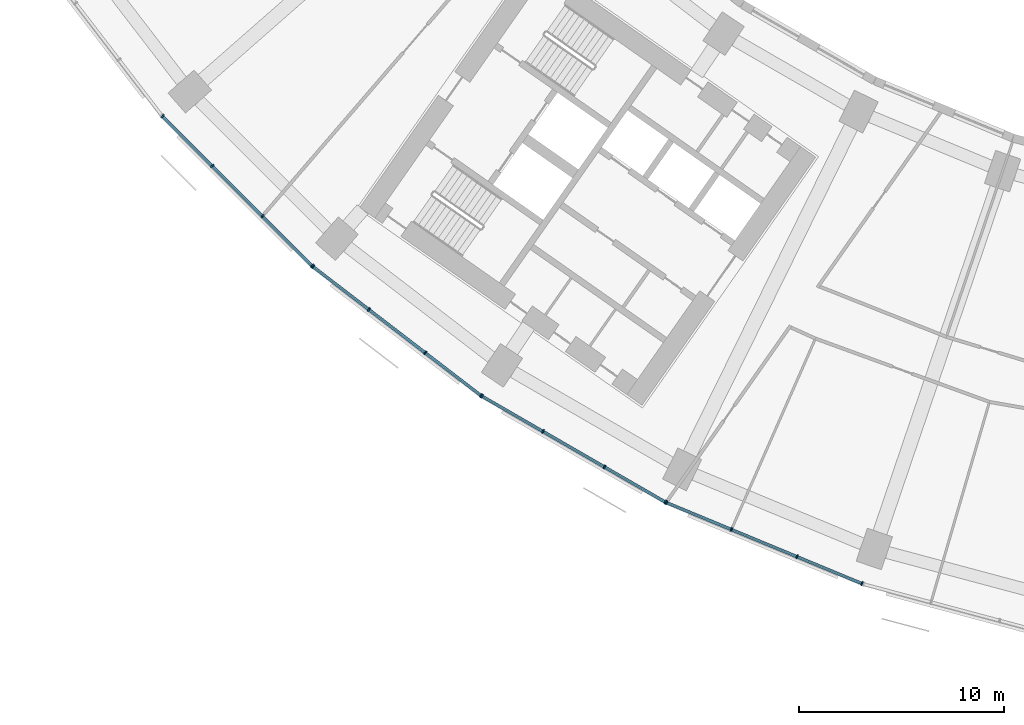
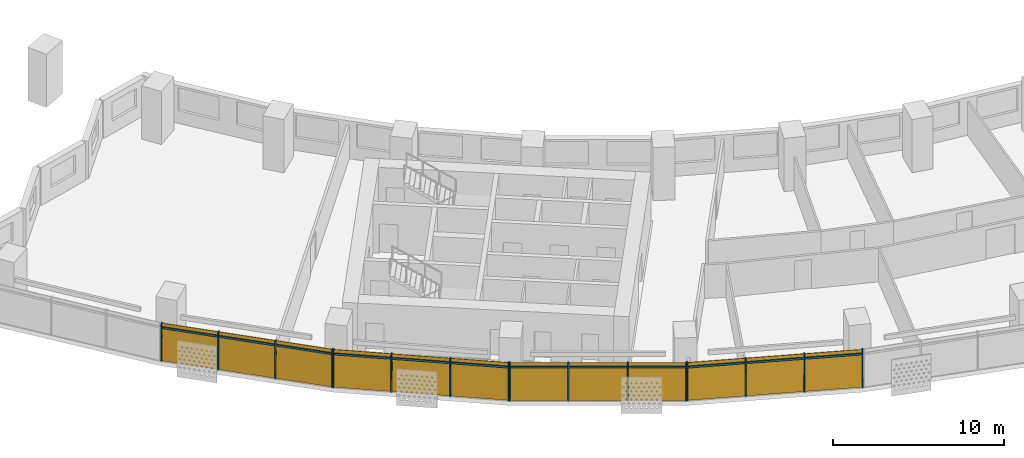
# One storey, part 19 of 31: 28 members, 4 curtain walls.
"""IFC4 building model written with IfcOpenShell, lengths in metres."""

from ifc_helpers import new_model, si_unit, direction, frame, origin, origin_2d, place, context, subcontext, project, spatial, rectangle, extrude, material, material_profile, profile_set, type_object, element, aggregate, save


model = new_model("IFC4")

# Units and contexts
model_context = context("Model", 3, precision=1e-05, world=origin(), true_north=direction((0.0, 1.0)))
body_context = subcontext(model_context, "Body", "Model", "MODEL_VIEW")
ifc_project = project(units=[si_unit("LENGTHUNIT", "METRE"), si_unit("AREAUNIT", "SQUARE_METRE"), si_unit("VOLUMEUNIT", "CUBIC_METRE"), si_unit("PLANEANGLEUNIT", "RADIAN"), si_unit("MASSUNIT", "GRAM", prefix="KILO")], contexts=[model_context])

# Member
ifc_material = material(Name="Aluminium 6063-T6 anodised", Category="aluminium")
ifc_material_profile_1 = material_profile(ifc_material, rectangle(XDim=0.199951171875, YDim=0.070068359375, at=origin_2d()))
ifc_profile_set_1 = profile_set([ifc_material_profile_1], Name="Aluminium 6063-T6 anodised")
member_type_1 = type_object("IfcMemberType", Name="Mullion 70 x 200 aluminium", PredefinedType="MULLION", material=ifc_profile_set_1)
site_placement = place(None, origin())
building_placement = place(site_placement, origin())
storey_placement = place(building_placement, frame((0.0, 0.0, 59.5)))
member_1_placement = place(storey_placement, frame((-59.78857421875, -52.470947265625, 0.0), z_axis=(0.0, 0.0, 1.0), x_axis=(0.707106781187, 0.707106781187, 0.0)))
member_1 = element("IfcMember", 1, at=member_1_placement, type_object=member_type_1, Name="e-cw1-L11-out02/M00", PredefinedType="MULLION", context=body_context, shape_type="SweptSolid", body=[
    extrude(rectangle(XDim=0.199951171875, YDim=0.070068359375, at=origin_2d()), origin(), (0.0, 0.0, 1.0), 2.699951171875),
])

member_2_placement = place(storey_placement, frame((-57.357666015625, -54.90185546875, 0.0), z_axis=(0.0, 0.0, 1.0), x_axis=(0.707106781187, 0.707106781187, 0.0)))
member_2 = element("IfcMember", 2, at=member_2_placement, type_object=member_type_1, Name="e-cw1-L11-out02/M01", PredefinedType="MULLION", context=body_context, shape_type="SweptSolid", body=[
    extrude(rectangle(XDim=0.199951171875, YDim=0.070068359375, at=origin_2d()), origin(), (0.0, 0.0, 1.0), 2.699951171875),
])

member_3_placement = place(storey_placement, frame((-54.90185546875, -57.357666015625, 0.0), z_axis=(0.0, 0.0, 1.0), x_axis=(0.707106781187, 0.707106781187, 0.0)))
member_3 = element("IfcMember", 3, at=member_3_placement, type_object=member_type_1, Name="e-cw1-L11-out02/M02", PredefinedType="MULLION", context=body_context, shape_type="SweptSolid", body=[
    extrude(rectangle(XDim=0.199951171875, YDim=0.070068359375, at=origin_2d()), origin(), (0.0, 0.0, 1.0), 2.699951171875),
])

member_4_placement = place(storey_placement, frame((-52.470947265625, -59.78857421875, 0.0), z_axis=(0.0, 0.0, 1.0), x_axis=(0.707106781187, 0.707106781187, 0.0)))
member_4 = element("IfcMember", 4, at=member_4_placement, type_object=member_type_1, Name="e-cw1-L11-out02/M03", PredefinedType="MULLION", context=body_context, shape_type="SweptSolid", body=[
    extrude(rectangle(XDim=0.199951171875, YDim=0.070068359375, at=origin_2d()), origin(), (0.0, 0.0, 1.0), 2.699951171875),
])

member_5_placement = place(storey_placement, frame((-52.42822265625, -59.825927734375, 0.0), z_axis=(0.0, 0.0, 1.0), x_axis=(0.608761429009, 0.793353340291, 0.0)))
member_5 = element("IfcMember", 5, at=member_5_placement, type_object=member_type_1, Name="e-cw1-L11-out03/M00", PredefinedType="MULLION", context=body_context, shape_type="SweptSolid", body=[
    extrude(rectangle(XDim=0.199951171875, YDim=0.070068359375, at=origin_2d()), origin(), (0.0, 0.0, 1.0), 2.699951171875),
])

member_6_placement = place(storey_placement, frame((-49.70068359375, -61.9189453125, 0.0), z_axis=(0.0, 0.0, 1.0), x_axis=(0.608761429009, 0.793353340291, 0.0)))
member_6 = element("IfcMember", 6, at=member_6_placement, type_object=member_type_1, Name="e-cw1-L11-out03/M01", PredefinedType="MULLION", context=body_context, shape_type="SweptSolid", body=[
    extrude(rectangle(XDim=0.199951171875, YDim=0.070068359375, at=origin_2d()), origin(), (0.0, 0.0, 1.0), 2.699951171875),
])

member_7_placement = place(storey_placement, frame((-46.945556640625, -64.032958984375, 0.0), z_axis=(0.0, 0.0, 1.0), x_axis=(0.608761429009, 0.793353340291, 0.0)))
member_7 = element("IfcMember", 7, at=member_7_placement, type_object=member_type_1, Name="e-cw1-L11-out03/M02", PredefinedType="MULLION", context=body_context, shape_type="SweptSolid", body=[
    extrude(rectangle(XDim=0.199951171875, YDim=0.070068359375, at=origin_2d()), origin(), (0.0, 0.0, 1.0), 2.699951171875),
])

member_8_placement = place(storey_placement, frame((-44.218017578125, -66.1259765625, 0.0), z_axis=(0.0, 0.0, 1.0), x_axis=(0.608761429009, 0.793353340291, 0.0)))
member_8 = element("IfcMember", 8, at=member_8_placement, type_object=member_type_1, Name="e-cw1-L11-out03/M03", PredefinedType="MULLION", context=body_context, shape_type="SweptSolid", body=[
    extrude(rectangle(XDim=0.199951171875, YDim=0.070068359375, at=origin_2d()), origin(), (0.0, 0.0, 1.0), 2.699951171875),
])

member_9_placement = place(storey_placement, frame((-44.1708984375, -66.157470703125, 0.0), z_axis=(0.0, 0.0, 1.0), x_axis=(0.5, 0.866025403784, 0.0)))
member_9 = element("IfcMember", 9, at=member_9_placement, type_object=member_type_1, Name="e-cw1-L11-out04/M00", PredefinedType="MULLION", context=body_context, shape_type="SweptSolid", body=[
    extrude(rectangle(XDim=0.199951171875, YDim=0.070068359375, at=origin_2d()), origin(), (0.0, 0.0, 1.0), 2.699951171875),
])

member_10_placement = place(storey_placement, frame((-41.193603515625, -67.87646484375, 0.0), z_axis=(0.0, 0.0, 1.0), x_axis=(0.5, 0.866025403784, 0.0)))
member_10 = element("IfcMember", 10, at=member_10_placement, type_object=member_type_1, Name="e-cw1-L11-out04/M01", PredefinedType="MULLION", context=body_context, shape_type="SweptSolid", body=[
    extrude(rectangle(XDim=0.199951171875, YDim=0.070068359375, at=origin_2d()), origin(), (0.0, 0.0, 1.0), 2.699951171875),
])

member_11_placement = place(storey_placement, frame((-38.18603515625, -69.61279296875, 0.0), z_axis=(0.0, 0.0, 1.0), x_axis=(0.5, 0.866025403784, 0.0)))
member_11 = element("IfcMember", 11, at=member_11_placement, type_object=member_type_1, Name="e-cw1-L11-out04/M02", PredefinedType="MULLION", context=body_context, shape_type="SweptSolid", body=[
    extrude(rectangle(XDim=0.199951171875, YDim=0.070068359375, at=origin_2d()), origin(), (0.0, 0.0, 1.0), 2.699951171875),
])

member_12_placement = place(storey_placement, frame((-35.20849609375, -71.331787109375, 0.0), z_axis=(0.0, 0.0, 1.0), x_axis=(0.5, 0.866025403784, 0.0)))
member_12 = element("IfcMember", 12, at=member_12_placement, type_object=member_type_1, Name="e-cw1-L11-out04/M03", PredefinedType="MULLION", context=body_context, shape_type="SweptSolid", body=[
    extrude(rectangle(XDim=0.199951171875, YDim=0.070068359375, at=origin_2d()), origin(), (0.0, 0.0, 1.0), 2.699951171875),
])

member_13_placement = place(storey_placement, frame((-35.15771484375, -71.35693359375, 0.0), z_axis=(0.0, 0.0, 1.0), x_axis=(0.382683432365, 0.923879532511, 0.0)))
member_13 = element("IfcMember", 13, at=member_13_placement, type_object=member_type_1, Name="e-cw1-L11-out05/M00", PredefinedType="MULLION", context=body_context, shape_type="SweptSolid", body=[
    extrude(rectangle(XDim=0.199951171875, YDim=0.070068359375, at=origin_2d()), origin(), (0.0, 0.0, 1.0), 2.699951171875),
])

member_14_placement = place(storey_placement, frame((-31.9814453125, -72.672607421875, 0.0), z_axis=(0.0, 0.0, 1.0), x_axis=(0.382683432365, 0.923879532511, 0.0)))
member_14 = element("IfcMember", 14, at=member_14_placement, type_object=member_type_1, Name="e-cw1-L11-out05/M01", PredefinedType="MULLION", context=body_context, shape_type="SweptSolid", body=[
    extrude(rectangle(XDim=0.199951171875, YDim=0.070068359375, at=origin_2d()), origin(), (0.0, 0.0, 1.0), 2.699951171875),
])

member_15_placement = place(storey_placement, frame((-28.77294921875, -74.00146484375, 0.0), z_axis=(0.0, 0.0, 1.0), x_axis=(0.382683432365, 0.923879532511, 0.0)))
member_15 = element("IfcMember", 15, at=member_15_placement, type_object=member_type_1, Name="e-cw1-L11-out05/M02", PredefinedType="MULLION", context=body_context, shape_type="SweptSolid", body=[
    extrude(rectangle(XDim=0.199951171875, YDim=0.070068359375, at=origin_2d()), origin(), (0.0, 0.0, 1.0), 2.699951171875),
])

member_16_placement = place(storey_placement, frame((-25.5966796875, -75.317138671875, 0.0), z_axis=(0.0, 0.0, 1.0), x_axis=(0.382683432365, 0.923879532511, 0.0)))
member_16 = element("IfcMember", 16, at=member_16_placement, type_object=member_type_1, Name="e-cw1-L11-out05/M03", PredefinedType="MULLION", context=body_context, shape_type="SweptSolid", body=[
    extrude(rectangle(XDim=0.199951171875, YDim=0.070068359375, at=origin_2d()), origin(), (0.0, 0.0, 1.0), 2.699951171875),
])

ifc_material_profile_2 = material_profile(ifc_material, rectangle(XDim=0.139892578125, YDim=0.1201171875, at=origin_2d()))
ifc_profile_set_2 = profile_set([ifc_material_profile_2], Name="Aluminium 6063-T6 anodised")
member_type_2 = type_object("IfcMemberType", Name="Transom 120 x 140 aluminium", PredefinedType="USERDEFINED", material=ifc_profile_set_2)
member_17_placement = place(storey_placement, frame((-59.763916015625, -52.49560546875, 2.39990234375), z_axis=(0.707106781187, -0.707106781187, 0.0), x_axis=(0.707106781187, 0.707106781187, 0.0)))
member_17 = element("IfcMember", 17, at=member_17_placement, type_object=member_type_2, Name="e-cw1-L11-out02/T00", ObjectType="TRANSOM", PredefinedType="USERDEFINED", context=body_context, shape_type="SweptSolid", body=[
    extrude(rectangle(XDim=0.139892578125, YDim=0.1201171875, at=origin_2d()), origin(), (0.0, 0.0, 1.0), 3.3681640625),
])

member_18_placement = place(storey_placement, frame((-57.332763671875, -54.9267578125, 2.39990234375), z_axis=(0.707106781187, -0.707106781187, 0.0), x_axis=(0.707106781187, 0.707106781187, 0.0)))
member_18 = element("IfcMember", 18, at=member_18_placement, type_object=member_type_2, Name="e-cw1-L11-out02/T01", ObjectType="TRANSOM", PredefinedType="USERDEFINED", context=body_context, shape_type="SweptSolid", body=[
    extrude(rectangle(XDim=0.139892578125, YDim=0.1201171875, at=origin_2d()), origin(), (0.0, 0.0, 1.0), 3.402587890625),
])

member_19_placement = place(storey_placement, frame((-54.877197265625, -57.38232421875, 2.39990234375), z_axis=(0.707106781187, -0.707106781187, 0.0), x_axis=(0.707106781187, 0.707106781187, 0.0)))
member_19 = element("IfcMember", 19, at=member_19_placement, type_object=member_type_2, Name="e-cw1-L11-out02/T02", ObjectType="TRANSOM", PredefinedType="USERDEFINED", context=body_context, shape_type="SweptSolid", body=[
    extrude(rectangle(XDim=0.139892578125, YDim=0.1201171875, at=origin_2d()), origin(), (0.0, 0.0, 1.0), 3.3681640625),
])

member_20_placement = place(storey_placement, frame((-52.400390625, -59.847412109375, 2.39990234375), z_axis=(0.793375276742, -0.608732839803, 0.0), x_axis=(0.608732839803, 0.793375276742, 0.0)))
member_20 = element("IfcMember", 20, at=member_20_placement, type_object=member_type_2, Name="e-cw1-L11-out03/T00", ObjectType="TRANSOM", PredefinedType="USERDEFINED", context=body_context, shape_type="SweptSolid", body=[
    extrude(rectangle(XDim=0.139892578125, YDim=0.1201171875, at=origin_2d()), origin(), (0.0, 0.0, 1.0), 3.36767578125),
])

member_21_placement = place(storey_placement, frame((-49.673095703125, -61.940185546875, 2.39990234375), z_axis=(0.793356868815, -0.60875683052, 0.0), x_axis=(0.60875683052, 0.793356868815, 0.0)))
member_21 = element("IfcMember", 21, at=member_21_placement, type_object=member_type_2, Name="e-cw1-L11-out03/T01", ObjectType="TRANSOM", PredefinedType="USERDEFINED", context=body_context, shape_type="SweptSolid", body=[
    extrude(rectangle(XDim=0.139892578125, YDim=0.1201171875, at=origin_2d()), origin(), (0.0, 0.0, 1.0), 3.40283203125),
])

member_22_placement = place(storey_placement, frame((-46.917724609375, -64.054443359375, 2.39990234375), z_axis=(0.793375276742, -0.608732839803, 0.0), x_axis=(0.608732839803, 0.793375276742, 0.0)))
member_22 = element("IfcMember", 22, at=member_22_placement, type_object=member_type_2, Name="e-cw1-L11-out03/T02", ObjectType="TRANSOM", PredefinedType="USERDEFINED", context=body_context, shape_type="SweptSolid", body=[
    extrude(rectangle(XDim=0.139892578125, YDim=0.1201171875, at=origin_2d()), origin(), (0.0, 0.0, 1.0), 3.36767578125),
])

member_23_placement = place(storey_placement, frame((-44.140625, -66.175048828125, 2.39990234375), z_axis=(0.866044351828, -0.49996717959, 0.0), x_axis=(0.49996717959, 0.866044351828, 0.0)))
member_23 = element("IfcMember", 23, at=member_23_placement, type_object=member_type_2, Name="e-cw1-L11-out04/T00", ObjectType="TRANSOM", PredefinedType="USERDEFINED", context=body_context, shape_type="SweptSolid", body=[
    extrude(rectangle(XDim=0.139892578125, YDim=0.1201171875, at=origin_2d()), origin(), (0.0, 0.0, 1.0), 3.367919921875),
])

member_24_placement = place(storey_placement, frame((-41.163330078125, -67.893798828125, 2.39990234375), z_axis=(0.866000398227, -0.500043308395, 0.0), x_axis=(0.500043308395, 0.866000398227, 0.0)))
member_24 = element("IfcMember", 24, at=member_24_placement, type_object=member_type_2, Name="e-cw1-L11-out04/T01", ObjectType="TRANSOM", PredefinedType="USERDEFINED", context=body_context, shape_type="SweptSolid", body=[
    extrude(rectangle(XDim=0.139892578125, YDim=0.1201171875, at=origin_2d()), origin(), (0.0, 0.0, 1.0), 3.403076171875),
])

member_25_placement = place(storey_placement, frame((-38.155517578125, -69.63037109375, 2.39990234375), z_axis=(0.866026229868, -0.499998569178, 0.0), x_axis=(0.499998569178, 0.866026229868, 0.0)))
member_25 = element("IfcMember", 25, at=member_25_placement, type_object=member_type_2, Name="e-cw1-L11-out04/T02", ObjectType="TRANSOM", PredefinedType="USERDEFINED", context=body_context, shape_type="SweptSolid", body=[
    extrude(rectangle(XDim=0.139892578125, YDim=0.1201171875, at=origin_2d()), origin(), (0.0, 0.0, 1.0), 3.36767578125),
])

member_26_placement = place(storey_placement, frame((-35.125244140625, -71.370361328125, 2.39990234375), z_axis=(0.923872807855, -0.382699666719, 0.0), x_axis=(0.382699666719, 0.923872807855, 0.0)))
member_26 = element("IfcMember", 26, at=member_26_placement, type_object=member_type_2, Name="e-cw1-L11-out05/T00", ObjectType="TRANSOM", PredefinedType="USERDEFINED", context=body_context, shape_type="SweptSolid", body=[
    extrude(rectangle(XDim=0.139892578125, YDim=0.1201171875, at=origin_2d()), origin(), (0.0, 0.0, 1.0), 3.36767578125),
])

member_27_placement = place(storey_placement, frame((-31.94921875, -72.68603515625, 2.39990234375), z_axis=(0.92388567708, -0.382668597728, 0.0), x_axis=(0.382668597728, 0.92388567708, 0.0)))
member_27 = element("IfcMember", 27, at=member_27_placement, type_object=member_type_2, Name="e-cw1-L11-out05/T01", ObjectType="TRANSOM", PredefinedType="USERDEFINED", context=body_context, shape_type="SweptSolid", body=[
    extrude(rectangle(XDim=0.139892578125, YDim=0.1201171875, at=origin_2d()), origin(), (0.0, 0.0, 1.0), 3.403076171875),
])

member_28_placement = place(storey_placement, frame((-28.740478515625, -74.014892578125, 2.39990234375), z_axis=(0.923872807855, -0.382699666719, 0.0), x_axis=(0.382699666719, 0.923872807855, 0.0)))
member_28 = element("IfcMember", 28, at=member_28_placement, type_object=member_type_2, Name="e-cw1-L11-out05/T02", ObjectType="TRANSOM", PredefinedType="USERDEFINED", context=body_context, shape_type="SweptSolid", body=[
    extrude(rectangle(XDim=0.139892578125, YDim=0.1201171875, at=origin_2d()), origin(), (0.0, 0.0, 1.0), 3.36767578125),
])

# Site, building, storey
site = spatial("IfcSite", under=ifc_project, at=site_placement, CompositionType="ELEMENT")
building = spatial("IfcBuilding", under=site, at=building_placement, Name="Qamariyya Broadcast Tower", CompositionType="ELEMENT")
storey = spatial("IfcBuildingStorey", under=building, at=storey_placement, Name="L11", CompositionType="ELEMENT", Elevation=59.5)

# Curtain wall
curtain_wall_type = type_object("IfcCurtainWallType", Name="Unitised curtain wall, anodised aluminium", PredefinedType="NOTDEFINED", material=ifc_material)
curtain_wall_1_placement = place(storey_placement, origin())
curtain_wall_1 = element("IfcCurtainWall", 29, at=curtain_wall_1_placement, inside=storey, type_object=curtain_wall_type, Name="e-cw1-L11-out02", PredefinedType="NOTDEFINED", context=body_context, shape_type="SweptSolid", body=[
    extrude(rectangle(XDim=3.367919921875, YDim=0.031982421875, at=origin_2d()), frame((-58.572998046875, -53.6865234375, 0.0), x_axis=(0.707106781187, -0.707106781187, 0.0)), (0.0, 0.0, 1.0), 2.340087890625),
    extrude(rectangle(XDim=3.367919921875, YDim=0.031982421875, at=origin_2d()), frame((-58.572998046875, -53.6865234375, 2.4599609375), x_axis=(0.707106781187, -0.707106781187, 0.0)), (0.0, 0.0, 1.0), 0.239990234375),
    extrude(rectangle(XDim=3.40283203125, YDim=0.031982421875, at=origin_2d()), frame((-56.1298828125, -56.1298828125, 0.0), x_axis=(0.707106781187, -0.707106781187, 0.0)), (0.0, 0.0, 1.0), 2.340087890625),
    extrude(rectangle(XDim=3.40283203125, YDim=0.031982421875, at=origin_2d()), frame((-56.1298828125, -56.1298828125, 2.4599609375), x_axis=(0.707106781187, -0.707106781187, 0.0)), (0.0, 0.0, 1.0), 0.239990234375),
    extrude(rectangle(XDim=3.367919921875, YDim=0.031982421875, at=origin_2d()), frame((-53.6865234375, -58.572998046875, 0.0), x_axis=(0.707106781187, -0.707106781187, 0.0)), (0.0, 0.0, 1.0), 2.340087890625),
    extrude(rectangle(XDim=3.367919921875, YDim=0.031982421875, at=origin_2d()), frame((-53.6865234375, -58.572998046875, 2.4599609375), x_axis=(0.707106781187, -0.707106781187, 0.0)), (0.0, 0.0, 1.0), 0.239990234375),
])

aggregate(curtain_wall_1, [member_1, member_2, member_3, member_4, member_17, member_18, member_19])

curtain_wall_2_placement = place(storey_placement, origin())
curtain_wall_2 = element("IfcCurtainWall", 30, at=curtain_wall_2_placement, inside=storey, type_object=curtain_wall_type, Name="e-cw1-L11-out03", PredefinedType="NOTDEFINED", context=body_context, shape_type="SweptSolid", body=[
    extrude(rectangle(XDim=3.367919921875, YDim=0.031982421875, at=origin_2d()), frame((-51.064453125, -60.872314453125, 0.0), x_axis=(0.79335775203, -0.608755679475, 0.0)), (0.0, 0.0, 1.0), 2.340087890625),
    extrude(rectangle(XDim=3.367919921875, YDim=0.031982421875, at=origin_2d()), frame((-51.064453125, -60.872314453125, 2.4599609375), x_axis=(0.79335775203, -0.608755679475, 0.0)), (0.0, 0.0, 1.0), 0.239990234375),
    extrude(rectangle(XDim=3.40283203125, YDim=0.031982421875, at=origin_2d()), frame((-48.3232421875, -62.97607421875, 0.0), x_axis=(0.79335775203, -0.608755679475, 0.0)), (0.0, 0.0, 1.0), 2.340087890625),
    extrude(rectangle(XDim=3.40283203125, YDim=0.031982421875, at=origin_2d()), frame((-48.3232421875, -62.97607421875, 2.4599609375), x_axis=(0.79335775203, -0.608755679475, 0.0)), (0.0, 0.0, 1.0), 0.239990234375),
    extrude(rectangle(XDim=3.367919921875, YDim=0.031982421875, at=origin_2d()), frame((-45.581787109375, -65.07958984375, 0.0), x_axis=(0.79335775203, -0.608755679475, 0.0)), (0.0, 0.0, 1.0), 2.340087890625),
    extrude(rectangle(XDim=3.367919921875, YDim=0.031982421875, at=origin_2d()), frame((-45.581787109375, -65.07958984375, 2.4599609375), x_axis=(0.79335775203, -0.608755679475, 0.0)), (0.0, 0.0, 1.0), 0.239990234375),
])

aggregate(curtain_wall_2, [member_5, member_6, member_7, member_8, member_20, member_21, member_22])

curtain_wall_3_placement = place(storey_placement, origin())
curtain_wall_3 = element("IfcCurtainWall", 31, at=curtain_wall_3_placement, inside=storey, type_object=curtain_wall_type, Name="e-cw1-L11-out04", PredefinedType="NOTDEFINED", context=body_context, shape_type="SweptSolid", body=[
    extrude(rectangle(XDim=3.367919921875, YDim=0.031982421875, at=origin_2d()), frame((-42.68212890625, -67.016845703125, 0.0), x_axis=(0.86602247392, -0.500005074639, 0.0)), (0.0, 0.0, 1.0), 2.340087890625),
    extrude(rectangle(XDim=3.367919921875, YDim=0.031982421875, at=origin_2d()), frame((-42.68212890625, -67.016845703125, 2.4599609375), x_axis=(0.86602247392, -0.500005074639, 0.0)), (0.0, 0.0, 1.0), 0.239990234375),
    extrude(rectangle(XDim=3.40283203125, YDim=0.031982421875, at=origin_2d()), frame((-39.689697265625, -68.74462890625, 0.0), x_axis=(0.86602247392, -0.500005074639, 0.0)), (0.0, 0.0, 1.0), 2.340087890625),
    extrude(rectangle(XDim=3.40283203125, YDim=0.031982421875, at=origin_2d()), frame((-39.689697265625, -68.74462890625, 2.4599609375), x_axis=(0.86602247392, -0.500005074639, 0.0)), (0.0, 0.0, 1.0), 0.239990234375),
    extrude(rectangle(XDim=3.367919921875, YDim=0.031982421875, at=origin_2d()), frame((-36.697265625, -70.472412109375, 0.0), x_axis=(0.86602247392, -0.500005074639, 0.0)), (0.0, 0.0, 1.0), 2.340087890625),
    extrude(rectangle(XDim=3.367919921875, YDim=0.031982421875, at=origin_2d()), frame((-36.697265625, -70.472412109375, 2.4599609375), x_axis=(0.86602247392, -0.500005074639, 0.0)), (0.0, 0.0, 1.0), 0.239990234375),
])

aggregate(curtain_wall_3, [member_9, member_10, member_11, member_12, member_23, member_24, member_25])

curtain_wall_4_placement = place(storey_placement, origin())
curtain_wall_4 = element("IfcCurtainWall", 32, at=curtain_wall_4_placement, inside=storey, type_object=curtain_wall_type, Name="e-cw1-L11-out05", PredefinedType="NOTDEFINED", context=body_context, shape_type="SweptSolid", body=[
    extrude(rectangle(XDim=3.367919921875, YDim=0.031982421875, at=origin_2d()), frame((-33.569580078125, -72.0146484375, 0.0), x_axis=(0.92387774222, -0.382687754482, 0.0)), (0.0, 0.0, 1.0), 2.340087890625),
    extrude(rectangle(XDim=3.367919921875, YDim=0.031982421875, at=origin_2d()), frame((-33.569580078125, -72.0146484375, 2.4599609375), x_axis=(0.92387774222, -0.382687754482, 0.0)), (0.0, 0.0, 1.0), 0.239990234375),
    extrude(rectangle(XDim=3.40283203125, YDim=0.031982421875, at=origin_2d()), frame((-30.377197265625, -73.3369140625, 0.0), x_axis=(0.92387774222, -0.382687754482, 0.0)), (0.0, 0.0, 1.0), 2.340087890625),
    extrude(rectangle(XDim=3.40283203125, YDim=0.031982421875, at=origin_2d()), frame((-30.377197265625, -73.3369140625, 2.4599609375), x_axis=(0.92387774222, -0.382687754482, 0.0)), (0.0, 0.0, 1.0), 0.239990234375),
    extrude(rectangle(XDim=3.367919921875, YDim=0.031982421875, at=origin_2d()), frame((-27.184814453125, -74.659423828125, 0.0), x_axis=(0.92387774222, -0.382687754482, 0.0)), (0.0, 0.0, 1.0), 2.340087890625),
    extrude(rectangle(XDim=3.367919921875, YDim=0.031982421875, at=origin_2d()), frame((-27.184814453125, -74.659423828125, 2.4599609375), x_axis=(0.92387774222, -0.382687754482, 0.0)), (0.0, 0.0, 1.0), 0.239990234375),
])

aggregate(curtain_wall_4, [member_13, member_14, member_15, member_16, member_26, member_27, member_28])

save(model, "model.ifc")
